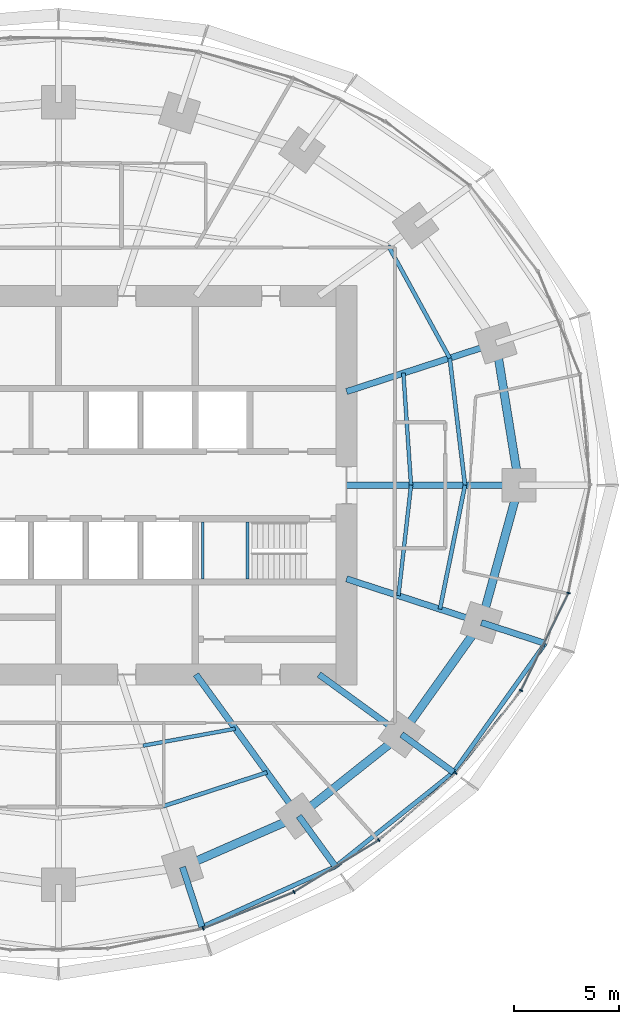
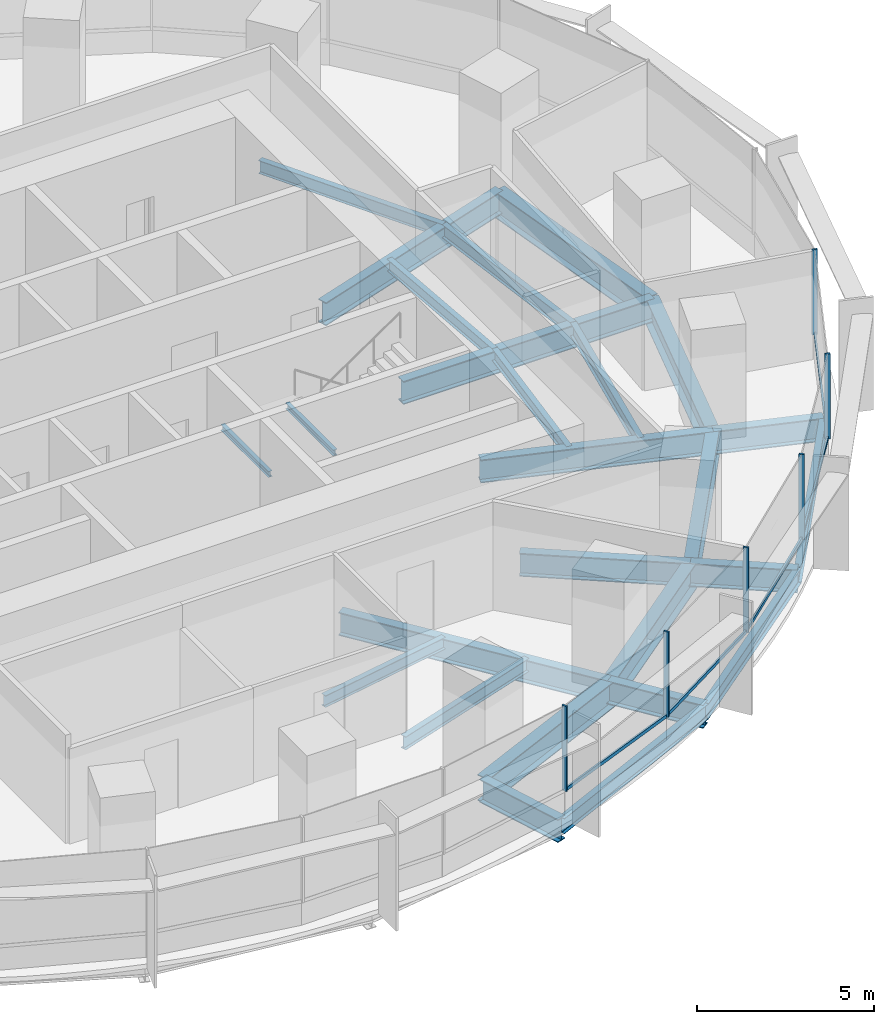
# One storey, part 5 of 14: 26 beams, 11 members, 2 elements without a shape of their own.
"""IFC4 building model written with IfcOpenShell, lengths in metres."""

import ifcopenshell
import ifcopenshell.guid

model = None  # the IFC model being written
_history = None  # IfcOwnerHistory: only IFC2X3 demands one
_inside = {}  # id of a spatial element -> (the spatial element, [elements in it])
_under = {}  # id of a project, library or spatial element -> (it, [spatial elements below it])
_declared = {}  # id of a project -> (the project, [libraries it declares])
_typed = {}  # id of a type object -> (the type object, [elements of that type])
_made_of = {}  # id of a material, layer set ... -> (it, [elements and type objects made of it])


def new_model(schema):
    """Start an empty IFC model of exactly this schema.

    Asked for "IFC4X3", IfcOpenShell would pick the latest addendum, in which some entities
    have other attributes; the version numbers below select the first issue.
    IFC2X3 requires an IfcOwnerHistory on every rooted entity: one is made here for all.
    """
    global model, _history
    if schema == "IFC4X3":
        model = ifcopenshell.file(schema_version=(4, 3, 0, 0))
    else:
        model = ifcopenshell.file(schema=schema)
    _inside.clear()
    _under.clear()
    _declared.clear()
    _typed.clear()
    _made_of.clear()
    _history = None
    if model.schema == "IFC2X3":
        org = make("IfcOrganization", Name="unknown")
        user = make(
            "IfcPersonAndOrganization",
            ThePerson=make("IfcPerson", FamilyName="unknown"),
            TheOrganization=org,
        )
        app = make(
            "IfcApplication",
            ApplicationDeveloper=org,
            Version="unknown",
            ApplicationFullName="unknown",
            ApplicationIdentifier="unknown",
        )
        _history = make(
            "IfcOwnerHistory",
            OwningUser=user,
            OwningApplication=app,
            ChangeAction="ADDED",
            CreationDate=0,
        )
    return model


def make(cls, **values):
    """One entity of the class cls with the attributes given. An attribute that is None is left unset."""
    return model.create_entity(
        cls, **{name: value for name, value in values.items() if value is not None}
    )


def rooted(cls, **values):
    """An entity with a GlobalId (a new one), such as an element, a storey or a relation."""
    return make(cls, GlobalId=ifcopenshell.guid.new(), OwnerHistory=_history, **values)


def si_unit(unit_type, name, prefix=None):
    """IfcSIUnit, for example si_unit("LENGTHUNIT", "METRE", prefix="MILLI")."""
    return make("IfcSIUnit", UnitType=unit_type, Prefix=prefix, Name=name)


def assignment(units):
    """IfcUnitAssignment: the units of a project."""
    return None if units is None else make("IfcUnitAssignment", Units=units)


def point(xyz):
    """IfcCartesianPoint."""
    return None if xyz is None else make("IfcCartesianPoint", Coordinates=xyz)


def direction(xyz):
    """IfcDirection."""
    return None if xyz is None else make("IfcDirection", DirectionRatios=xyz)


def frame(location, z_axis=None, x_axis=None):
    """IfcAxis2Placement3D, a coordinate frame: its origin and axes. An axis left out is left unset."""
    return make(
        "IfcAxis2Placement3D",
        Location=point(location),
        Axis=direction(z_axis),
        RefDirection=direction(x_axis),
    )


def frame_2d(location, x_axis=None):
    """IfcAxis2Placement2D, a coordinate frame in the plane: its origin and x axis."""
    return make(
        "IfcAxis2Placement2D", Location=point(location), RefDirection=direction(x_axis)
    )


def origin():
    """The frame at (0, 0, 0) with its axes left unset."""
    return frame((0.0, 0.0, 0.0))


def origin_2d():
    """The frame at (0, 0) in the plane with its x axis left unset."""
    return frame_2d((0.0, 0.0))


def place(relative_to, where):
    """IfcLocalPlacement: puts the frame where relative to a parent placement (None: the world)."""
    return make(
        "IfcLocalPlacement", PlacementRelTo=relative_to, RelativePlacement=where
    )


def context(
    kind, dimensions, precision=None, world=None, true_north=None, identifier=None
):
    """IfcGeometricRepresentationContext, for example the 3D "Model" context."""
    return make(
        "IfcGeometricRepresentationContext",
        ContextIdentifier=identifier,
        ContextType=kind,
        CoordinateSpaceDimension=dimensions,
        Precision=precision,
        WorldCoordinateSystem=world,
        TrueNorth=true_north,
    )


def subcontext(parent, identifier, kind, view, scale=None):
    """IfcGeometricRepresentationSubContext, for example "Body" below "Model"."""
    return make(
        "IfcGeometricRepresentationSubContext",
        ContextIdentifier=identifier,
        ContextType=kind,
        ParentContext=parent,
        TargetScale=scale,
        TargetView=view,
    )


def project(units=None, contexts=None):
    """IfcProject with its units and contexts."""
    return rooted(
        "IfcProject",
        Name="project",
        RepresentationContexts=contexts,
        UnitsInContext=assignment(units),
    )


def spatial(cls, under=None, at=None, **own):
    """A site, building, storey or space (cls), placed at a placement, below another one or the project."""
    s = rooted(cls, ObjectPlacement=at, **own)
    if under is not None:
        _under.setdefault(under.id(), (under, []))[1].append(s)
    return s


def profile(cls, at=None, kind="AREA", **sizes):
    """A parametric profile (cls). Its sizes go by their IFC names, for example OverallWidth=200.0."""
    return make(cls, ProfileType=kind, Position=at, **sizes)


def rectangle(**sizes):
    """IfcRectangleProfileDef."""
    return profile("IfcRectangleProfileDef", **sizes)


def i_section(**sizes):
    """IfcIShapeProfileDef."""
    return profile("IfcIShapeProfileDef", **sizes)


def extrude(swept, where, along, depth):
    """IfcExtrudedAreaSolid: the profile swept, set in the frame where, extruded along a direction by depth."""
    return make(
        "IfcExtrudedAreaSolid",
        SweptArea=swept,
        Position=where,
        ExtrudedDirection=direction(along),
        Depth=depth,
    )


def shape(context_of_items, identifier, shape_type, items):
    """IfcShapeRepresentation: the items that make up one representation, for example the "Body"."""
    return make(
        "IfcShapeRepresentation",
        ContextOfItems=context_of_items,
        RepresentationIdentifier=identifier,
        RepresentationType=shape_type,
        Items=items,
    )


def material(Name=None, Category=None):
    """IfcMaterial."""
    return make("IfcMaterial", Name=Name, Category=Category)


def material_profile(
    of_material, cross_section, Name=None, Category=None, Priority=None
):
    """IfcMaterialProfile: a cross section and its material."""
    return make(
        "IfcMaterialProfile",
        Name=Name,
        Material=of_material,
        Profile=cross_section,
        Priority=Priority,
        Category=Category,
    )


def profile_set(profiles, Name=None, composite=None):
    """IfcMaterialProfileSet."""
    return make(
        "IfcMaterialProfileSet",
        Name=Name,
        MaterialProfiles=profiles,
        CompositeProfile=composite,
    )


def made_of(thing, what):
    """Note that an element or type object is made of a material, layer set ...; save() writes the relation."""
    if what is not None:
        _made_of.setdefault(what.id(), (what, []))[1].append(thing)
    return thing


def type_object(cls, material=None, **own):
    """A type object (cls), such as IfcWallType, which elements share."""
    return made_of(rooted(cls, **own), material)


def element(
    cls,
    number,
    at=None,
    inside=None,
    cuts=None,
    type_object=None,
    material=None,
    context=None,
    identifier="Body",
    shape_type=None,
    held_by="IfcProductDefinitionShape",
    body=None,
    shapes=None,
    **own,
):
    """One element of the class cls, such as IfcWall. Its Tag is "e" and its number.

    at: its placement. inside: the storey or other place that contains it. cuts: it is an
    opening in that element (IfcRelVoidsElement). A single representation is given by context,
    identifier, shape_type and body (its items); several are given by shapes. held_by: the class
    of the entity that holds the representations. save() writes the other relations.
    """
    e = rooted(cls, Tag="e%d" % number, ObjectPlacement=at, **own)
    if body is not None:
        shapes = [shape(context, identifier, shape_type, body)]
    if shapes is not None:
        e.Representation = make(held_by, Representations=shapes)
    if inside is not None:
        _inside.setdefault(inside.id(), (inside, []))[1].append(e)
    if cuts is not None:
        rooted(
            "IfcRelVoidsElement", RelatingBuildingElement=cuts, RelatedOpeningElement=e
        )
    if type_object is not None:
        _typed.setdefault(type_object.id(), (type_object, []))[1].append(e)
    return made_of(e, material)


def aggregate(whole, parts):
    """IfcRelAggregates: a whole, such as a stair, and the parts it consists of."""
    return rooted("IfcRelAggregates", RelatingObject=whole, RelatedObjects=parts)


def save(model, path):
    """Write the relations noted so far, then the file.

    IfcRelAggregates (storeys below a building ...), IfcRelContainedInSpatialStructure (elements
    in a storey), IfcRelDefinesByType, IfcRelAssociatesMaterial and IfcRelDeclares: one each for
    every whole, place, type object, material and project.
    """
    for whole, parts in _under.values():
        aggregate(whole, parts)
    for where, things in _inside.values():
        rooted(
            "IfcRelContainedInSpatialStructure",
            RelatedElements=things,
            RelatingStructure=where,
        )
    for kind, things in _typed.values():
        rooted("IfcRelDefinesByType", RelatedObjects=things, RelatingType=kind)
    for what, things in _made_of.values():
        rooted("IfcRelAssociatesMaterial", RelatedObjects=things, RelatingMaterial=what)
    for by, libraries in _declared.values():
        rooted("IfcRelDeclares", RelatingContext=by, RelatedDefinitions=libraries)
    model.write(path)


model = new_model("IFC4")

# Units and contexts
model_context = context("Model", 3, precision=1e-05, world=origin(), true_north=direction((0.0, 1.0)))
body_context = subcontext(model_context, "Body", "Model", "MODEL_VIEW")
ifc_project = project(units=[si_unit("LENGTHUNIT", "METRE"), si_unit("AREAUNIT", "SQUARE_METRE"), si_unit("VOLUMEUNIT", "CUBIC_METRE"), si_unit("PLANEANGLEUNIT", "RADIAN"), si_unit("MASSUNIT", "GRAM", prefix="KILO")], contexts=[model_context])

# Site, building, storey
site_placement = place(None, origin())
site = spatial("IfcSite", under=ifc_project, at=site_placement, CompositionType="ELEMENT")
building_placement = place(site_placement, origin())
building = spatial("IfcBuilding", under=site, at=building_placement, Name="Marramba Exchange Tower", CompositionType="ELEMENT")
storey_placement = place(building_placement, frame((0.0, 0.0, 115.800048828125)))
storey = spatial("IfcBuildingStorey", under=building, at=storey_placement, Name="L27", CompositionType="ELEMENT", Elevation=115.800048828125)

# Beams
ifc_material_1 = material(Name="Steel AS/NZS 3679.2 grade 300", Category="steel")
ifc_material_profile_1 = material_profile(ifc_material_1, i_section(OverallWidth=0.300048828125, OverallDepth=0.800048828125, WebThickness=0.013916015625, FlangeThickness=0.031982421875, at=origin_2d()), Name="800WB192")
ifc_profile_set_1 = profile_set([ifc_material_profile_1], Name="Steel AS/NZS 3679.2 grade 300")
beam_type_1 = type_object("IfcBeamType", Name="Cantilever girder 800WB192", PredefinedType="BEAM", material=ifc_profile_set_1)
beam_1_placement = place(storey_placement, frame((5.899658203125, -18.156982421875, -0.56005859375), z_axis=(0.30903246226, -0.951051490336, 0.0), x_axis=(0.951051490336, 0.30903246226, 0.0)))
element("IfcBeam", 1, at=beam_1_placement, inside=storey, type_object=beam_type_1, Name="Cantilever girder L27 TC17", PredefinedType="BEAM", context=body_context, shape_type="SweptSolid", body=[
    extrude(i_section(OverallWidth=0.300048828125, OverallDepth=0.800048828125, WebThickness=0.013916015625, FlangeThickness=0.031982421875, at=origin_2d()), origin(), (0.0, 0.0, 1.0), 2.986328125),
])
beam_2_placement = place(storey_placement, frame((11.430419921875, -15.732666015625, -0.56005859375), z_axis=(0.587794986183, -0.8090099222, 0.0), x_axis=(0.8090099222, 0.587794986183, 0.0)))
element("IfcBeam", 2, at=beam_2_placement, inside=storey, type_object=beam_type_1, Name="Cantilever girder L27 TC18", PredefinedType="BEAM", context=body_context, shape_type="SweptSolid", body=[
    extrude(i_section(OverallWidth=0.300048828125, OverallDepth=0.800048828125, WebThickness=0.013916015625, FlangeThickness=0.031982421875, at=origin_2d()), origin(), (0.0, 0.0, 1.0), 2.9677734375),
])
beam_3_placement = place(storey_placement, frame((16.3154296875, -11.853759765625, -0.56005859375), z_axis=(0.809026231081, -0.587772538847, 0.0), x_axis=(0.587772538847, 0.809026231081, 0.0)))
element("IfcBeam", 3, at=beam_3_placement, inside=storey, type_object=beam_type_1, Name="Cantilever girder L27 TC19", PredefinedType="BEAM", context=body_context, shape_type="SweptSolid", body=[
    extrude(i_section(OverallWidth=0.300048828125, OverallDepth=0.800048828125, WebThickness=0.013916015625, FlangeThickness=0.031982421875, at=origin_2d()), origin(), (0.0, 0.0, 1.0), 3.055419921875),
])
beam_4_placement = place(storey_placement, frame((20.109375, -6.533935546875, -0.56005859375), z_axis=(0.951054839063, -0.309022156318, 0.0), x_axis=(0.309022156318, 0.951054839063, 0.0)))
element("IfcBeam", 4, at=beam_4_placement, inside=storey, type_object=beam_type_1, Name="Cantilever girder L27 TC20", PredefinedType="BEAM", context=body_context, shape_type="SweptSolid", body=[
    extrude(i_section(OverallWidth=0.300048828125, OverallDepth=0.800048828125, WebThickness=0.013916015625, FlangeThickness=0.031982421875, at=origin_2d()), origin(), (0.0, 0.0, 1.0), 3.19580078125),
])
ifc_material_2 = material(Name="Steel AS/NZS 3679.1 grade 300", Category="steel")
ifc_material_profile_2 = material_profile(ifc_material_2, i_section(OverallWidth=0.177978515625, OverallDepth=0.406005859375, WebThickness=0.0078125, FlangeThickness=0.0126953125, FilletRadius=0.011474609375, at=origin_2d()), Name="410UB59.7")
ifc_profile_set_2 = profile_set([ifc_material_profile_2], Name="Steel AS/NZS 3679.1 grade 300")
beam_type_2 = type_object("IfcBeamType", Name="Floor joist 410UB59.7", PredefinedType="JOIST", material=ifc_profile_set_2)
beam_5_placement = place(storey_placement, frame((16.7666015625, 0.0, -0.363037109375), z_axis=(-0.068096259546, 0.99767875563, 0.0), x_axis=(-0.99767875563, -0.068096259546, 0.0)))
element("IfcBeam", 5, at=beam_5_placement, inside=storey, type_object=beam_type_2, Name="Joist L27 bay 01 row 1", PredefinedType="JOIST", context=body_context, shape_type="SweptSolid", body=[
    extrude(i_section(OverallWidth=0.177978515625, OverallDepth=0.406005859375, WebThickness=0.0078125, FlangeThickness=0.0126953125, FilletRadius=0.011474609375, at=origin_2d()), origin(), (0.0, 0.0, 1.0), 5.342041015625),
])
beam_6_placement = place(storey_placement, frame((4.0244140625, -12.3857421875, -0.363037109375), z_axis=(0.983455754421, 0.181148500119, 0.0), x_axis=(-0.181148500119, 0.983455754421, 0.0)))
element("IfcBeam", 6, at=beam_6_placement, inside=storey, type_object=beam_type_2, Name="Joist L27 bay 17 row 1", PredefinedType="JOIST", context=body_context, shape_type="SweptSolid", body=[
    extrude(i_section(OverallWidth=0.177978515625, OverallDepth=0.406005859375, WebThickness=0.0078125, FlangeThickness=0.0126953125, FilletRadius=0.011474609375, at=origin_2d()), origin(), (0.0, 0.0, 1.0), 4.4609375),
])
beam_7_placement = place(storey_placement, frame((16.169677734375, -5.25390625, -0.363037109375), z_axis=(0.112888968594, 0.993607609054, 0.0), x_axis=(-0.993607609054, 0.112888968594, 0.0)))
element("IfcBeam", 7, at=beam_7_placement, inside=storey, type_object=beam_type_2, Name="Joist L27 bay 20 row 1", PredefinedType="JOIST", context=body_context, shape_type="SweptSolid", body=[
    extrude(i_section(OverallWidth=0.177978515625, OverallDepth=0.406005859375, WebThickness=0.0078125, FlangeThickness=0.0126953125, FilletRadius=0.011474609375, at=origin_2d()), origin(), (0.0, 0.0, 1.0), 5.28759765625),
])
ifc_material_profile_3 = material_profile(ifc_material_2, i_section(OverallWidth=0.18994140625, OverallDepth=0.4541015625, WebThickness=0.008544921875, FlangeThickness=0.0126953125, FilletRadius=0.011474609375, at=origin_2d()), Name="460UB67.1")
ifc_profile_set_3 = profile_set([ifc_material_profile_3], Name="Steel AS/NZS 3679.1 grade 300")
beam_type_3 = type_object("IfcBeamType", Name="Floor joist 460UB67.1", PredefinedType="JOIST", material=ifc_profile_set_3)
beam_8_placement = place(storey_placement, frame((19.333251953125, 0.0, -0.386962890625), z_axis=(-0.119523078538, 0.992831422597, 0.0), x_axis=(-0.992831422597, -0.119523078538, 0.0)))
element("IfcBeam", 8, at=beam_8_placement, inside=storey, type_object=beam_type_3, Name="Joist L27 bay 01 row 2", PredefinedType="JOIST", context=body_context, shape_type="SweptSolid", body=[
    extrude(i_section(OverallWidth=0.18994140625, OverallDepth=0.4541015625, WebThickness=0.008544921875, FlangeThickness=0.0126953125, FilletRadius=0.011474609375, at=origin_2d()), origin(), (0.0, 0.0, 1.0), 6.089111328125),
])
beam_9_placement = place(storey_placement, frame((18.60546875, 6.04541015625, -0.386962890625), z_axis=(-0.479584443791, 0.877495732909, 0.0), x_axis=(-0.877495732909, -0.479584443791, 0.0)))
element("IfcBeam", 9, at=beam_9_placement, inside=storey, type_object=beam_type_3, Name="Joist L27 bay 02 row 2", PredefinedType="JOIST", context=body_context, shape_type="SweptSolid", body=[
    extrude(i_section(OverallWidth=0.18994140625, OverallDepth=0.4541015625, WebThickness=0.008544921875, FlangeThickness=0.0126953125, FilletRadius=0.011474609375, at=origin_2d()), origin(), (0.0, 0.0, 1.0), 6.094970703125),
])
beam_10_placement = place(storey_placement, frame((4.9619140625, -15.271484375, -0.386962890625), z_axis=(0.950764024931, 0.309915744834, 0.0), x_axis=(-0.309915744834, 0.950764024931, 0.0)))
element("IfcBeam", 10, at=beam_10_placement, inside=storey, type_object=beam_type_3, Name="Joist L27 bay 17 row 2", PredefinedType="JOIST", context=body_context, shape_type="SweptSolid", body=[
    extrude(i_section(OverallWidth=0.18994140625, OverallDepth=0.4541015625, WebThickness=0.008544921875, FlangeThickness=0.0126953125, FilletRadius=0.011474609375, at=origin_2d()), origin(), (0.0, 0.0, 1.0), 5.2158203125),
])
beam_11_placement = place(storey_placement, frame((18.1396484375, -5.893798828125, -0.386962890625), z_axis=(0.198489047047, 0.980103105904, 0.0), x_axis=(-0.980103105904, 0.198489047047, 0.0)))
element("IfcBeam", 11, at=beam_11_placement, inside=storey, type_object=beam_type_3, Name="Joist L27 bay 20 row 2", PredefinedType="JOIST", context=body_context, shape_type="SweptSolid", body=[
    extrude(i_section(OverallWidth=0.18994140625, OverallDepth=0.4541015625, WebThickness=0.008544921875, FlangeThickness=0.0126953125, FilletRadius=0.011474609375, at=origin_2d()), origin(), (0.0, 0.0, 1.0), 6.013427734375),
])

# Curtain wall, member
ifc_material_3 = material(Name="Aluminium framing, bronze anodised", Category="aluminium")
curtain_wall_type = type_object("IfcCurtainWallType", Name="Office ribbon curtain wall", PredefinedType="USERDEFINED", material=ifc_material_3)
curtain_wall_1_placement = place(storey_placement, origin())
curtain_wall_1 = element("IfcCurtainWall", 12, at=curtain_wall_1_placement, inside=storey, type_object=curtain_wall_type, Name="Curtain wall CW4 L27 F21-F25", ObjectType="RIBBON CURTAIN WALL", PredefinedType="USERDEFINED")
ifc_material_4 = material(Name="Aluminium mullion, bronze anodised", Category="aluminium")
ifc_material_profile_4 = material_profile(ifc_material_4, rectangle(XDim=0.159912109375, YDim=0.06005859375, at=origin_2d()), Name="CW4 mullion 60x160")
ifc_profile_set_4 = profile_set([ifc_material_profile_4], Name="Aluminium mullion, bronze anodised")
member_type_1 = type_object("IfcMemberType", Name="Office ribbon curtain wall mullion", PredefinedType="MULLION", material=ifc_profile_set_4)
member_1_placement = place(storey_placement, frame((6.881103515625, -21.0810546875, 0.800048828125), z_axis=(0.0, 0.0, 1.0), x_axis=(-0.372209067082, 0.928148916059, 0.0)))
member_1 = element("IfcMember", 13, at=member_1_placement, type_object=member_type_1, Name="CW4 mullion 1", PredefinedType="MULLION", context=body_context, shape_type="SweptSolid", body=[
    extrude(rectangle(XDim=0.159912109375, YDim=0.06005859375, at=origin_2d()), origin(), (0.0, 0.0, 1.0), 2.93994140625),
])

# Curtain wall, members
curtain_wall_2_placement = place(storey_placement, origin())
curtain_wall_2 = element("IfcCurtainWall", 14, at=curtain_wall_2_placement, inside=storey, type_object=curtain_wall_type, Name="Curtain wall CW4 L27 F26-F30", ObjectType="RIBBON CURTAIN WALL", PredefinedType="USERDEFINED")
member_2_placement = place(storey_placement, frame((11.2021484375, -19.3427734375, 0.800048828125), z_axis=(0.0, 0.0, 1.0), x_axis=(-0.521732535664, 0.853109114492, 0.0)))
member_2 = element("IfcMember", 15, at=member_2_placement, type_object=member_type_1, Name="CW4 mullion 1", PredefinedType="MULLION", context=body_context, shape_type="SweptSolid", body=[
    extrude(rectangle(XDim=0.159912109375, YDim=0.06005859375, at=origin_2d()), origin(), (0.0, 0.0, 1.0), 2.93994140625),
])
member_3_placement = place(storey_placement, frame((15.232177734375, -16.872314453125, 0.800048828125), z_axis=(0.0, 0.0, 1.0), x_axis=(-0.656431647438, 0.754385506384, 0.0)))
member_3 = element("IfcMember", 16, at=member_3_placement, type_object=member_type_1, Name="CW4 mullion 1", PredefinedType="MULLION", context=body_context, shape_type="SweptSolid", body=[
    extrude(rectangle(XDim=0.159912109375, YDim=0.06005859375, at=origin_2d()), origin(), (0.0, 0.0, 1.0), 2.93994140625),
])
member_4_placement = place(storey_placement, frame((18.886962890625, -13.68505859375, 0.800048828125), z_axis=(0.0, 0.0, 1.0), x_axis=(-0.783170139469, 0.621807472329, 0.0)))
member_4 = element("IfcMember", 17, at=member_4_placement, type_object=member_type_1, Name="CW4 mullion 1", PredefinedType="MULLION", context=body_context, shape_type="SweptSolid", body=[
    extrude(rectangle(XDim=0.159912109375, YDim=0.06005859375, at=origin_2d()), origin(), (0.0, 0.0, 1.0), 2.93994140625),
])
member_5_placement = place(storey_placement, frame((21.994873046875, -9.760009765625, 0.800048828125), z_axis=(0.0, 0.0, 1.0), x_axis=(-0.89844486976, 0.439086342308, 0.0)))
member_5 = element("IfcMember", 18, at=member_5_placement, type_object=member_type_1, Name="CW4 mullion 1", PredefinedType="MULLION", context=body_context, shape_type="SweptSolid", body=[
    extrude(rectangle(XDim=0.159912109375, YDim=0.06005859375, at=origin_2d()), origin(), (0.0, 0.0, 1.0), 2.93994140625),
])
member_6_placement = place(storey_placement, frame((24.252197265625, -5.124267578125, 0.800048828125), z_axis=(0.0, 0.0, 1.0), x_axis=(-0.980393739376, 0.197048511267, 0.0)))
member_6 = element("IfcMember", 19, at=member_6_placement, type_object=member_type_1, Name="CW4 mullion 1", PredefinedType="MULLION", context=body_context, shape_type="SweptSolid", body=[
    extrude(rectangle(XDim=0.159912109375, YDim=0.06005859375, at=origin_2d()), origin(), (0.0, 0.0, 1.0), 2.93994140625),
])

# Member
ifc_material_5 = material(Name="Aluminium transom, bronze anodised", Category="aluminium")
ifc_material_profile_5 = material_profile(ifc_material_5, rectangle(XDim=0.06005859375, YDim=0.1201171875, at=origin_2d()), Name="CW4 transom 60x120")
ifc_profile_set_5 = profile_set([ifc_material_profile_5], Name="Aluminium transom, bronze anodised")
member_type_2 = type_object("IfcMemberType", Name="Office ribbon curtain wall transom", PredefinedType="USERDEFINED", material=ifc_profile_set_5)
member_7_placement = place(storey_placement, frame((6.908935546875, -21.06982421875, 0.829833984375), z_axis=(0.928146753748, 0.372214459026, 0.0), x_axis=(-0.372214459026, 0.928146753748, 0.0)))
member_7 = element("IfcMember", 20, at=member_7_placement, type_object=member_type_2, Name="CW4 sill transom", ObjectType="TRANSOM", PredefinedType="USERDEFINED", context=body_context, shape_type="SweptSolid", body=[
    extrude(rectangle(XDim=0.06005859375, YDim=0.1201171875, at=origin_2d()), origin(), (0.0, 0.0, 1.0), 4.597900390625),
])

aggregate(curtain_wall_1, [member_1, member_7])

member_8_placement = place(storey_placement, frame((11.227783203125, -19.3271484375, 0.829833984375), z_axis=(0.853124051379, 0.52170811088, 0.0), x_axis=(-0.52170811088, 0.853124051379, 0.0)))
member_8 = element("IfcMember", 21, at=member_8_placement, type_object=member_type_2, Name="CW4 sill transom", ObjectType="TRANSOM", PredefinedType="USERDEFINED", context=body_context, shape_type="SweptSolid", body=[
    extrude(rectangle(XDim=0.06005859375, YDim=0.1201171875, at=origin_2d()), origin(), (0.0, 0.0, 1.0), 4.66748046875),
])

member_9_placement = place(storey_placement, frame((15.2548828125, -16.8525390625, 0.829833984375), z_axis=(0.754392594189, 0.65642350189, 0.0), x_axis=(-0.65642350189, 0.754392594189, 0.0)))
member_9 = element("IfcMember", 22, at=member_9_placement, type_object=member_type_2, Name="CW4 sill transom", ObjectType="TRANSOM", PredefinedType="USERDEFINED", context=body_context, shape_type="SweptSolid", body=[
    extrude(rectangle(XDim=0.06005859375, YDim=0.1201171875, at=origin_2d()), origin(), (0.0, 0.0, 1.0), 4.78955078125),
])

member_10_placement = place(storey_placement, frame((18.905517578125, -13.66162109375, 0.829833984375), z_axis=(0.621777997945, 0.783193540111, 0.0), x_axis=(-0.783193540111, 0.621777997945, 0.0)))
member_10 = element("IfcMember", 23, at=member_10_placement, type_object=member_type_2, Name="CW4 sill transom", ObjectType="TRANSOM", PredefinedType="USERDEFINED", context=body_context, shape_type="SweptSolid", body=[
    extrude(rectangle(XDim=0.06005859375, YDim=0.1201171875, at=origin_2d()), origin(), (0.0, 0.0, 1.0), 4.947265625),
])

member_11_placement = place(storey_placement, frame((22.008056640625, -9.73291015625, 0.829833984375), z_axis=(0.439090714557, 0.898442732949, 0.0), x_axis=(-0.898442732949, 0.439090714557, 0.0)))
member_11 = element("IfcMember", 24, at=member_11_placement, type_object=member_type_2, Name="CW4 sill transom", ObjectType="TRANSOM", PredefinedType="USERDEFINED", context=body_context, shape_type="SweptSolid", body=[
    extrude(rectangle(XDim=0.06005859375, YDim=0.1201171875, at=origin_2d()), origin(), (0.0, 0.0, 1.0), 5.096923828125),
])

aggregate(curtain_wall_2, [member_2, member_8, member_3, member_9, member_4, member_10, member_5, member_11, member_6])

# Beams
ifc_material_profile_6 = material_profile(ifc_material_1, i_section(OverallWidth=0.300048828125, OverallDepth=0.800048828125, WebThickness=0.013916015625, FlangeThickness=0.031982421875, at=origin_2d()), Name="800WB192")
ifc_profile_set_6 = profile_set([ifc_material_profile_6], Name="Steel AS/NZS 3679.2 grade 300")
beam_type_4 = type_object("IfcBeamType", Name="Radial girder 800WB192", PredefinedType="BEAM", material=ifc_profile_set_6)
beam_12_placement = place(storey_placement, frame((13.699951171875, 0.0, -0.56005859375), z_axis=(1.0, 0.0, 0.0), x_axis=(0.0, 1.0, 0.0)))
element("IfcBeam", 25, at=beam_12_placement, inside=storey, type_object=beam_type_4, Name="Radial girder L27 TC01", PredefinedType="BEAM", context=body_context, shape_type="SweptSolid", body=[
    extrude(i_section(OverallWidth=0.300048828125, OverallDepth=0.800048828125, WebThickness=0.013916015625, FlangeThickness=0.031982421875, at=origin_2d()), origin(), (0.0, 0.0, 1.0), 8.199951171875),
])
beam_13_placement = place(storey_placement, frame((13.699951171875, 4.451416015625, -0.56005859375), z_axis=(0.951059990189, 0.309006302624, 0.0), x_axis=(-0.309006302624, 0.951059990189, 0.0)))
element("IfcBeam", 26, at=beam_13_placement, inside=storey, type_object=beam_type_4, Name="Radial girder L27 TC02", PredefinedType="BEAM", context=body_context, shape_type="SweptSolid", body=[
    extrude(i_section(OverallWidth=0.300048828125, OverallDepth=0.800048828125, WebThickness=0.013916015625, FlangeThickness=0.031982421875, at=origin_2d()), origin(), (0.0, 0.0, 1.0), 7.47412109375),
])
beam_14_placement = place(storey_placement, frame((6.538818359375, -9.0, -0.56005859375), z_axis=(0.587787877172, -0.809015087282, 0.0), x_axis=(0.809015087282, 0.587787877172, 0.0)))
element("IfcBeam", 27, at=beam_14_placement, inside=storey, type_object=beam_type_4, Name="Radial girder L27 TC18", PredefinedType="BEAM", context=body_context, shape_type="SweptSolid", body=[
    extrude(i_section(OverallWidth=0.300048828125, OverallDepth=0.800048828125, WebThickness=0.013916015625, FlangeThickness=0.031982421875, at=origin_2d()), origin(), (0.0, 0.0, 1.0), 8.322021484375),
])
beam_15_placement = place(storey_placement, frame((12.387451171875, -9.0, -0.56005859375), z_axis=(0.809025189606, -0.58777397236, 0.0), x_axis=(0.58777397236, 0.809025189606, 0.0)))
element("IfcBeam", 28, at=beam_15_placement, inside=storey, type_object=beam_type_4, Name="Radial girder L27 TC19", PredefinedType="BEAM", context=body_context, shape_type="SweptSolid", body=[
    extrude(i_section(OverallWidth=0.300048828125, OverallDepth=0.800048828125, WebThickness=0.013916015625, FlangeThickness=0.031982421875, at=origin_2d()), origin(), (0.0, 0.0, 1.0), 4.855224609375),
])
beam_16_placement = place(storey_placement, frame((13.699951171875, -4.451416015625, -0.56005859375), z_axis=(0.951057759669, -0.309013167637, 0.0), x_axis=(0.309013167637, 0.951057759669, 0.0)))
element("IfcBeam", 29, at=beam_16_placement, inside=storey, type_object=beam_type_4, Name="Radial girder L27 TC20", PredefinedType="BEAM", context=body_context, shape_type="SweptSolid", body=[
    extrude(i_section(OverallWidth=0.300048828125, OverallDepth=0.800048828125, WebThickness=0.013916015625, FlangeThickness=0.031982421875, at=origin_2d()), origin(), (0.0, 0.0, 1.0), 6.7392578125),
])
ifc_material_profile_7 = material_profile(ifc_material_1, i_section(OverallWidth=0.39990234375, OverallDepth=0.89990234375, WebThickness=0.01611328125, FlangeThickness=0.031982421875, at=origin_2d()), Name="900WB282")
ifc_profile_set_7 = profile_set([ifc_material_profile_7], Name="Steel AS/NZS 3679.2 grade 300")
beam_type_5 = type_object("IfcBeamType", Name="Ring beam 900WB282", PredefinedType="SPANDREL", material=ifc_profile_set_7)
beam_17_placement = place(storey_placement, frame((21.89990234375, 0.0, -0.610107421875), z_axis=(-0.159384865399, 0.987216523708, 0.0), x_axis=(-0.987216523708, -0.159384865399, 0.0)))
element("IfcBeam", 30, at=beam_17_placement, inside=storey, type_object=beam_type_5, Name="Ring beam L27 TC01-TC02", PredefinedType="SPANDREL", context=body_context, shape_type="SweptSolid", body=[
    extrude(i_section(OverallWidth=0.39990234375, OverallDepth=0.89990234375, WebThickness=0.01611328125, FlangeThickness=0.031982421875, at=origin_2d()), origin(), (0.0, 0.0, 1.0), 6.8486328125),
])
beam_18_placement = place(storey_placement, frame((5.899658203125, -18.156982421875, -0.610107421875), z_axis=(0.915876892158, 0.4014592363, 0.0), x_axis=(-0.4014592363, 0.915876892158, 0.0)))
element("IfcBeam", 31, at=beam_18_placement, inside=storey, type_object=beam_type_5, Name="Ring beam L27 TC17-TC18", PredefinedType="SPANDREL", context=body_context, shape_type="SweptSolid", body=[
    extrude(i_section(OverallWidth=0.39990234375, OverallDepth=0.89990234375, WebThickness=0.01611328125, FlangeThickness=0.031982421875, at=origin_2d()), origin(), (0.0, 0.0, 1.0), 6.038818359375),
])
beam_19_placement = place(storey_placement, frame((11.430419921875, -15.732666015625, -0.610107421875), z_axis=(0.783139438128, 0.621846138887, 0.0), x_axis=(-0.621846138887, 0.783139438128, 0.0)))
element("IfcBeam", 32, at=beam_19_placement, inside=storey, type_object=beam_type_5, Name="Ring beam L27 TC18-TC19", PredefinedType="SPANDREL", context=body_context, shape_type="SweptSolid", body=[
    extrude(i_section(OverallWidth=0.39990234375, OverallDepth=0.89990234375, WebThickness=0.01611328125, FlangeThickness=0.031982421875, at=origin_2d()), origin(), (0.0, 0.0, 1.0), 6.23779296875),
])
beam_20_placement = place(storey_placement, frame((16.3154296875, -11.853759765625, -0.610107421875), z_axis=(0.580637181111, 0.814162430914, 0.0), x_axis=(-0.814162430914, 0.580637181111, 0.0)))
element("IfcBeam", 33, at=beam_20_placement, inside=storey, type_object=beam_type_5, Name="Ring beam L27 TC19-TC20", PredefinedType="SPANDREL", context=body_context, shape_type="SweptSolid", body=[
    extrude(i_section(OverallWidth=0.39990234375, OverallDepth=0.89990234375, WebThickness=0.01611328125, FlangeThickness=0.031982421875, at=origin_2d()), origin(), (0.0, 0.0, 1.0), 6.5341796875),
])
beam_21_placement = place(storey_placement, frame((20.109375, -6.533935546875, -0.610107421875), z_axis=(0.264291166956, 0.964442937176, 0.0), x_axis=(-0.964442937176, 0.264291166956, 0.0)))
element("IfcBeam", 34, at=beam_21_placement, inside=storey, type_object=beam_type_5, Name="Ring beam L27 TC20-TC01", PredefinedType="SPANDREL", context=body_context, shape_type="SweptSolid", body=[
    extrude(i_section(OverallWidth=0.39990234375, OverallDepth=0.89990234375, WebThickness=0.01611328125, FlangeThickness=0.031982421875, at=origin_2d()), origin(), (0.0, 0.0, 1.0), 6.77490234375),
])
ifc_material_profile_8 = material_profile(ifc_material_2, i_section(OverallWidth=0.208984375, OverallDepth=0.528076171875, WebThickness=0.009521484375, FlangeThickness=0.01318359375, FilletRadius=0.013916015625, at=origin_2d()), Name="530UB82.0")
ifc_profile_set_8 = profile_set([ifc_material_profile_8], Name="Steel AS/NZS 3679.1 grade 300")
beam_type_6 = type_object("IfcBeamType", Name="Slab edge beam 530UB82.0", PredefinedType="SPANDREL", material=ifc_profile_set_8)
beam_22_placement = place(storey_placement, frame((6.822509765625, -20.9970703125, -0.424072265625), z_axis=(0.911653171624, 0.410960453898, 0.0), x_axis=(-0.410960453898, 0.911653171624, 0.0)))
element("IfcBeam", 35, at=beam_22_placement, inside=storey, type_object=beam_type_6, Name="Slab edge beam L27 TC17-TC18", PredefinedType="SPANDREL", context=body_context, shape_type="SweptSolid", body=[
    extrude(i_section(OverallWidth=0.208984375, OverallDepth=0.528076171875, WebThickness=0.009521484375, FlangeThickness=0.01318359375, FilletRadius=0.013916015625, at=origin_2d()), origin(), (0.0, 0.0, 1.0), 6.9677734375),
])
beam_23_placement = place(storey_placement, frame((13.1748046875, -18.133544921875, -0.424072265625), z_axis=(0.781286404457, 0.624172695822, 0.0), x_axis=(-0.624172695822, 0.781286404457, 0.0)))
element("IfcBeam", 36, at=beam_23_placement, inside=storey, type_object=beam_type_6, Name="Slab edge beam L27 TC18-TC19", PredefinedType="SPANDREL", context=body_context, shape_type="SweptSolid", body=[
    extrude(i_section(OverallWidth=0.208984375, OverallDepth=0.528076171875, WebThickness=0.009521484375, FlangeThickness=0.01318359375, FilletRadius=0.013916015625, at=origin_2d()), origin(), (0.0, 0.0, 1.0), 7.183837890625),
])
beam_24_placement = place(storey_placement, frame((18.787353515625, -13.649658203125, -0.424072265625), z_axis=(0.579834168245, 0.814734519543, 0.0), x_axis=(-0.814734519543, 0.579834168245, 0.0)))
element("IfcBeam", 37, at=beam_24_placement, inside=storey, type_object=beam_type_6, Name="Slab edge beam L27 TC19-TC20", PredefinedType="SPANDREL", context=body_context, shape_type="SweptSolid", body=[
    extrude(i_section(OverallWidth=0.208984375, OverallDepth=0.528076171875, WebThickness=0.009521484375, FlangeThickness=0.01318359375, FilletRadius=0.013916015625, at=origin_2d()), origin(), (0.0, 0.0, 1.0), 7.521728515625),
])
ifc_material_profile_9 = material_profile(ifc_material_2, i_section(OverallWidth=0.133056640625, OverallDepth=0.202880859375, WebThickness=0.005859375, FlangeThickness=0.0078125, FilletRadius=0.0087890625, at=origin_2d()), Name="200UB25.4")
ifc_profile_set_9 = profile_set([ifc_material_profile_9], Name="Steel AS/NZS 3679.1 grade 300")
beam_type_7 = type_object("IfcBeamType", Name="Stair landing beam 200UB25.4", PredefinedType="BEAM", material=ifc_profile_set_9)
for number, where, z_axis, x_axis, name in (
    (38, (6.866455078125, -4.449951171875, 1.6484375), (0.0, 1.0, 0.0), (-1.0, 0.0, 0.0), "Stair landing beam SLB1 ST2 L27 1"),
    (39, (8.9833984375, -4.449951171875, 1.6484375), (0.0, 1.0, 0.0), (-1.0, 0.0, 0.0), "Stair landing beam SLB1 ST2 L27 2"),
):
    element("IfcBeam", number, at=place(storey_placement, frame(where, z_axis=z_axis, x_axis=x_axis)), inside=storey, type_object=beam_type_7, Name=name, PredefinedType="BEAM", context=body_context, shape_type="SweptSolid", body=[
        extrude(i_section(OverallWidth=0.133056640625, OverallDepth=0.202880859375, WebThickness=0.005859375, FlangeThickness=0.0078125, FilletRadius=0.0087890625, at=origin_2d()), origin(), (0.0, 0.0, 1.0), 2.699951171875),
    ])

save(model, "model.ifc")
